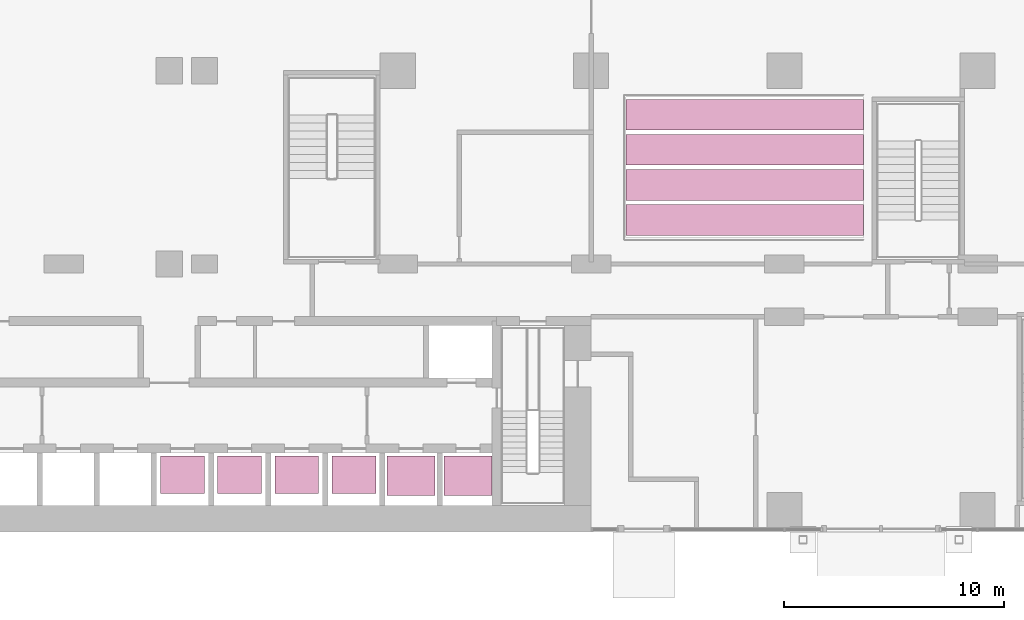
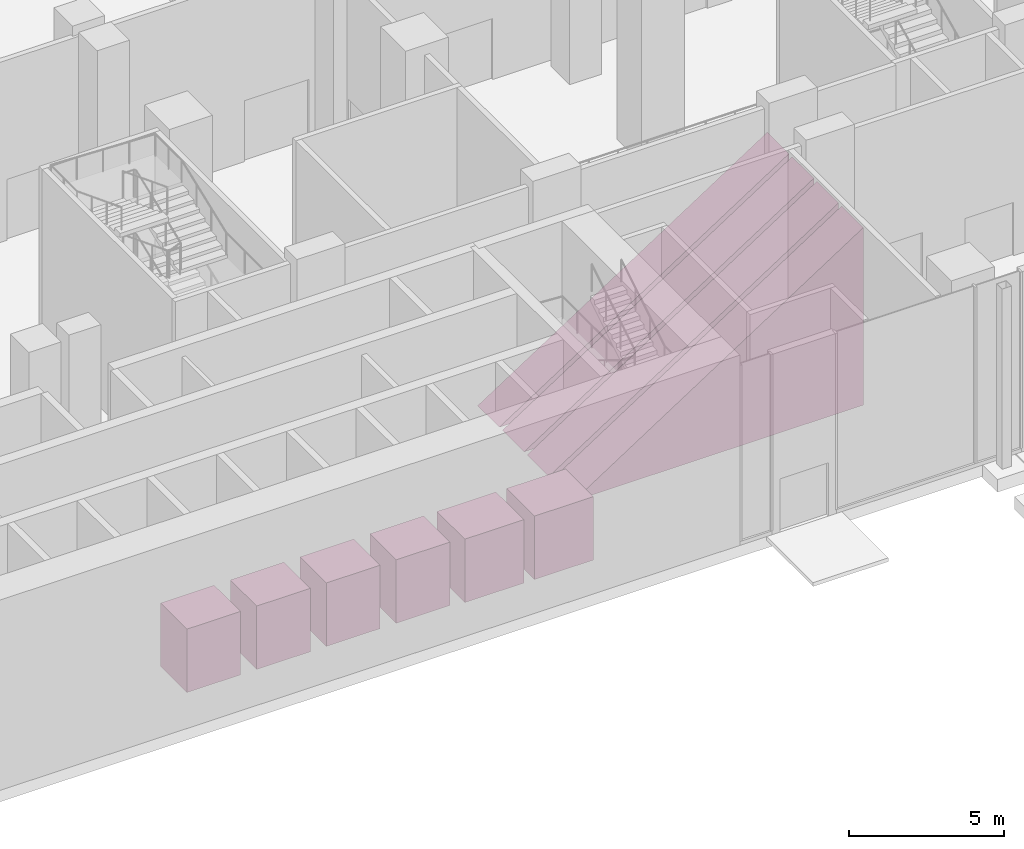
# One storey, part 41 of 41: 10 transport elements.
"""IFC4 building model written with IfcOpenShell, lengths in metres."""

from ifc_helpers import new_model, si_unit, direction, frame, origin, origin_2d, place, context, subcontext, project, spatial, polyline, rectangle, outline, extrude, material, type_object, element, save


model = new_model("IFC4")

# Units and contexts
model_context = context("Model", 3, precision=1e-05, world=origin(), true_north=direction((0.0, 1.0)))
body_context = subcontext(model_context, "Body", "Model", "MODEL_VIEW")
ifc_project = project(units=[si_unit("LENGTHUNIT", "METRE"), si_unit("AREAUNIT", "SQUARE_METRE"), si_unit("VOLUMEUNIT", "CUBIC_METRE"), si_unit("PLANEANGLEUNIT", "RADIAN"), si_unit("MASSUNIT", "GRAM", prefix="KILO")], contexts=[model_context])

# Site, building, storey
site_placement = place(None, origin())
site = spatial("IfcSite", under=ifc_project, at=site_placement, CompositionType="ELEMENT")
building_placement = place(site_placement, origin())
building = spatial("IfcBuilding", under=site, at=building_placement, Name="Kemantara Hotel Tower", CompositionType="ELEMENT")
storey_placement = place(building_placement, origin())
storey = spatial("IfcBuildingStorey", under=building, at=storey_placement, Name="L00", CompositionType="ELEMENT", Elevation=0.0)

# Transport elements
ifc_material_1 = material(Name="Stainless steel", Category="steel")
transport_element_type_1 = type_object("IfcTransportElementType", Name="ESCALATOR 1400", PredefinedType="ESCALATOR", material=ifc_material_1)
for number, where, z_axis, x_axis, name in (
    (1, (46.60009765625, 14.199951171875, -7.0), (0.0, 0.0, 1.0), (1.0, 0.0, 0.0), "ESCALATOR"),
    (2, (46.60009765625, 15.800048828125, -7.0), (0.0, 0.0, 1.0), (1.0, 0.0, 0.0), "ESCALATOR"),
    (3, (46.60009765625, 17.39990234375, -7.0), (0.0, 0.0, 1.0), (1.0, 0.0, 0.0), "ESCALATOR"),
    (4, (46.60009765625, 19.0, -7.0), (0.0, 0.0, 1.0), (1.0, 0.0, 0.0), "ESCALATOR"),
):
    element("IfcTransportElement", number, at=place(storey_placement, frame(where, z_axis=z_axis, x_axis=x_axis)), inside=storey, type_object=transport_element_type_1, Name=name, PredefinedType="ESCALATOR", context=body_context, shape_type="SweptSolid", body=[
        extrude(outline(polyline([(0.0, 0.0), (10.7998046875, 0.0), (10.800048828125, 7.0), (0.0, 0.0), (0.0, 0.0)])), frame((0.0, 0.699951171875, 0.0), z_axis=(0.0, -1.0, 0.0), x_axis=(1.0, 0.0, 0.0)), (0.0, 0.0, 1.0), 1.39990234375),
    ])
ifc_material_2 = material(Name="Stainless steel lift car", Category="steel")
transport_element_type_2 = type_object("IfcTransportElementType", Name="Passenger lift (low-rise bank) 1800 x 1500 mm", PredefinedType="ELEVATOR", material=ifc_material_2)
for number, where, z_axis, x_axis, name in (
    (5, (26.39990234375, 2.60009765625, 0.0), (0.0, 0.0, 1.0), (1.0, 0.0, 0.0), "Lift LR1 car"),
    (6, (29.0, 2.60009765625, 0.0), (0.0, 0.0, 1.0), (1.0, 0.0, 0.0), "Lift LR2 car"),
    (7, (31.60009765625, 2.60009765625, 0.0), (0.0, 0.0, 1.0), (1.0, 0.0, 0.0), "Lift LR3 car"),
    (8, (34.199951171875, 2.60009765625, 0.0), (0.0, 0.0, 1.0), (1.0, 0.0, 0.0), "Lift LR4 car"),
):
    element("IfcTransportElement", number, at=place(storey_placement, frame(where, z_axis=z_axis, x_axis=x_axis)), inside=storey, type_object=transport_element_type_2, Name=name, PredefinedType="ELEVATOR", context=body_context, shape_type="SweptSolid", body=[
        extrude(rectangle(XDim=2.0, YDim=1.699951171875, at=origin_2d()), origin(), (0.0, 0.0, 1.0), 2.5),
    ])
transport_element_type_3 = type_object("IfcTransportElementType", Name="Shuttle lift 2000 x 1600 mm", PredefinedType="ELEVATOR", material=ifc_material_2)
for number, where, z_axis, x_axis, name in (
    (9, (36.800048828125, 2.550048828125, 0.0), (0.0, 0.0, 1.0), (1.0, 0.0, 0.0), "Lift SH1 car"),
    (10, (39.39990234375, 2.550048828125, 0.0), (0.0, 0.0, 1.0), (1.0, 0.0, 0.0), "Lift SH2 car"),
):
    element("IfcTransportElement", number, at=place(storey_placement, frame(where, z_axis=z_axis, x_axis=x_axis)), inside=storey, type_object=transport_element_type_3, Name=name, PredefinedType="ELEVATOR", context=body_context, shape_type="SweptSolid", body=[
        extrude(rectangle(XDim=2.199951171875, YDim=1.800048828125, at=origin_2d()), origin(), (0.0, 0.0, 1.0), 2.5),
    ])

save(model, "model.ifc")
